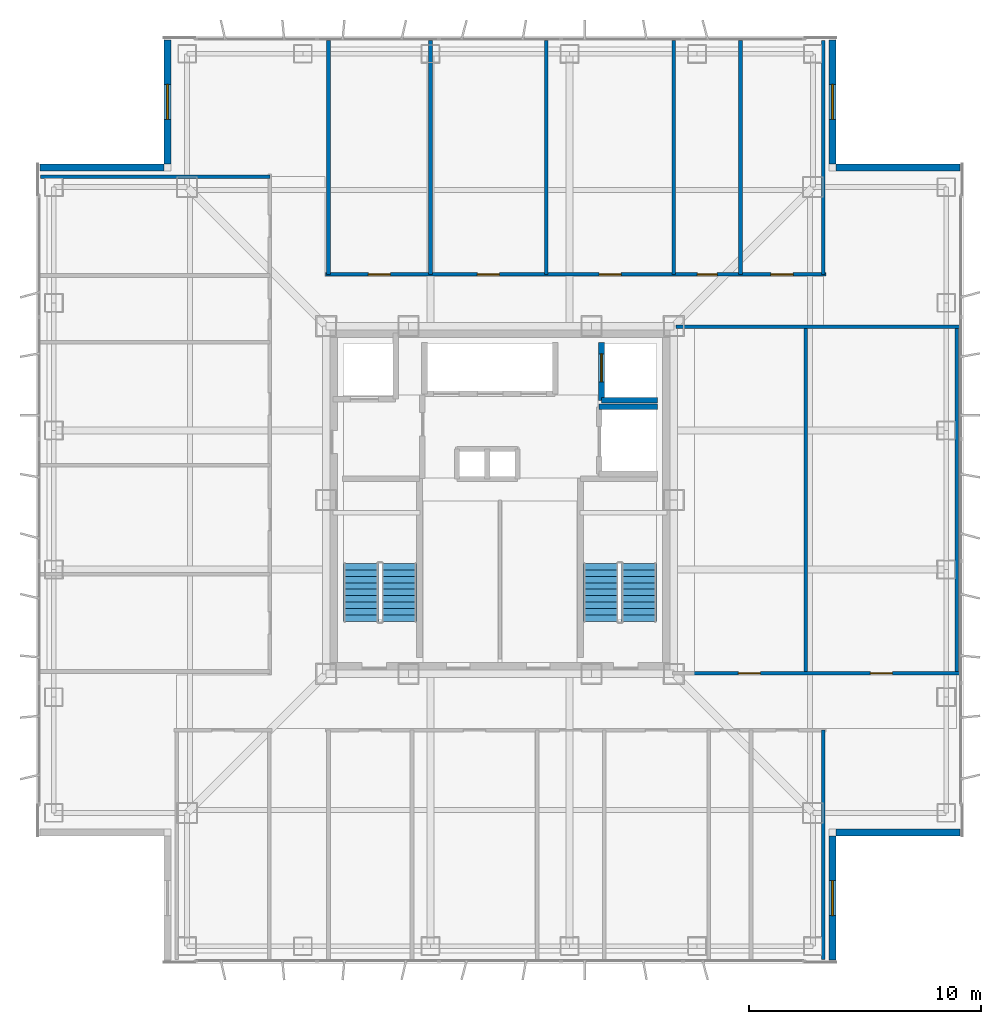
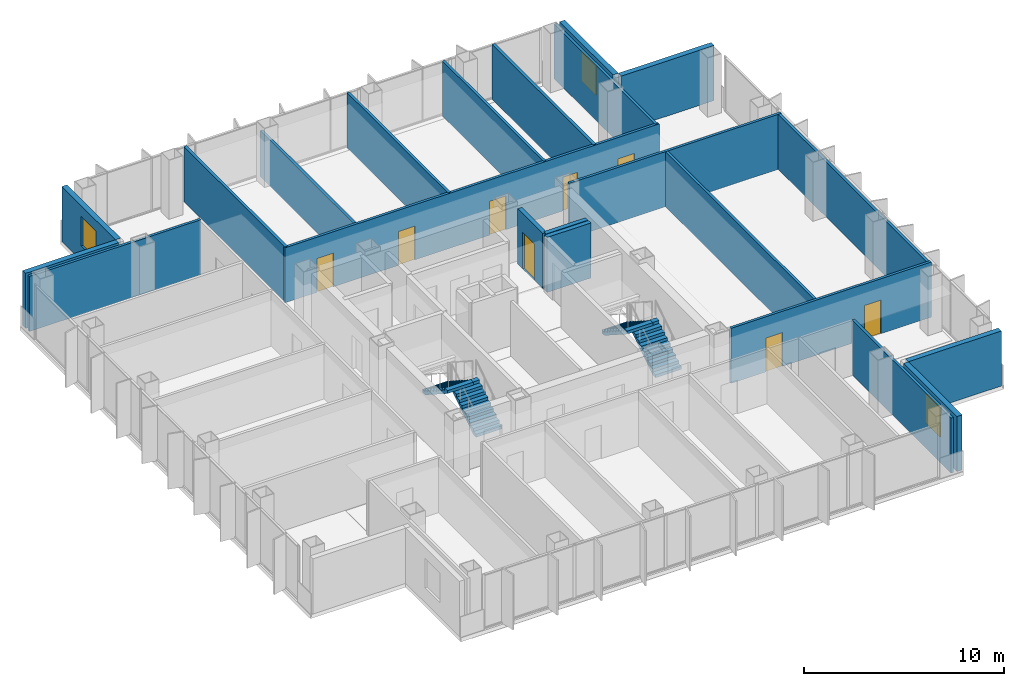
# One storey, part 12 of 18: 22 walls, 8 doors, 4 stair flights, 3 windows, 11 openings, 2 elements without a shape of their own.
"""IFC4 building model written with IfcOpenShell, lengths in metres."""

import ifcopenshell
import ifcopenshell.guid

model = None  # the IFC model being written
_history = None  # IfcOwnerHistory: only IFC2X3 demands one
_inside = {}  # id of a spatial element -> (the spatial element, [elements in it])
_under = {}  # id of a project, library or spatial element -> (it, [spatial elements below it])
_declared = {}  # id of a project -> (the project, [libraries it declares])
_typed = {}  # id of a type object -> (the type object, [elements of that type])
_made_of = {}  # id of a material, layer set ... -> (it, [elements and type objects made of it])


def new_model(schema):
    """Start an empty IFC model of exactly this schema.

    Asked for "IFC4X3", IfcOpenShell would pick the latest addendum, in which some entities
    have other attributes; the version numbers below select the first issue.
    IFC2X3 requires an IfcOwnerHistory on every rooted entity: one is made here for all.
    """
    global model, _history
    if schema == "IFC4X3":
        model = ifcopenshell.file(schema_version=(4, 3, 0, 0))
    else:
        model = ifcopenshell.file(schema=schema)
    _inside.clear()
    _under.clear()
    _declared.clear()
    _typed.clear()
    _made_of.clear()
    _history = None
    if model.schema == "IFC2X3":
        org = make("IfcOrganization", Name="unknown")
        user = make(
            "IfcPersonAndOrganization",
            ThePerson=make("IfcPerson", FamilyName="unknown"),
            TheOrganization=org,
        )
        app = make(
            "IfcApplication",
            ApplicationDeveloper=org,
            Version="unknown",
            ApplicationFullName="unknown",
            ApplicationIdentifier="unknown",
        )
        _history = make(
            "IfcOwnerHistory",
            OwningUser=user,
            OwningApplication=app,
            ChangeAction="ADDED",
            CreationDate=0,
        )
    return model


def make(cls, **values):
    """One entity of the class cls with the attributes given. An attribute that is None is left unset."""
    return model.create_entity(
        cls, **{name: value for name, value in values.items() if value is not None}
    )


def rooted(cls, **values):
    """An entity with a GlobalId (a new one), such as an element, a storey or a relation."""
    return make(cls, GlobalId=ifcopenshell.guid.new(), OwnerHistory=_history, **values)


def si_unit(unit_type, name, prefix=None):
    """IfcSIUnit, for example si_unit("LENGTHUNIT", "METRE", prefix="MILLI")."""
    return make("IfcSIUnit", UnitType=unit_type, Prefix=prefix, Name=name)


def assignment(units):
    """IfcUnitAssignment: the units of a project."""
    return None if units is None else make("IfcUnitAssignment", Units=units)


def point(xyz):
    """IfcCartesianPoint."""
    return None if xyz is None else make("IfcCartesianPoint", Coordinates=xyz)


def direction(xyz):
    """IfcDirection."""
    return None if xyz is None else make("IfcDirection", DirectionRatios=xyz)


def frame(location, z_axis=None, x_axis=None):
    """IfcAxis2Placement3D, a coordinate frame: its origin and axes. An axis left out is left unset."""
    return make(
        "IfcAxis2Placement3D",
        Location=point(location),
        Axis=direction(z_axis),
        RefDirection=direction(x_axis),
    )


def frame_2d(location, x_axis=None):
    """IfcAxis2Placement2D, a coordinate frame in the plane: its origin and x axis."""
    return make(
        "IfcAxis2Placement2D", Location=point(location), RefDirection=direction(x_axis)
    )


def origin():
    """The frame at (0, 0, 0) with its axes left unset."""
    return frame((0.0, 0.0, 0.0))


def place(relative_to, where):
    """IfcLocalPlacement: puts the frame where relative to a parent placement (None: the world)."""
    return make(
        "IfcLocalPlacement", PlacementRelTo=relative_to, RelativePlacement=where
    )


def context(
    kind, dimensions, precision=None, world=None, true_north=None, identifier=None
):
    """IfcGeometricRepresentationContext, for example the 3D "Model" context."""
    return make(
        "IfcGeometricRepresentationContext",
        ContextIdentifier=identifier,
        ContextType=kind,
        CoordinateSpaceDimension=dimensions,
        Precision=precision,
        WorldCoordinateSystem=world,
        TrueNorth=true_north,
    )


def subcontext(parent, identifier, kind, view, scale=None):
    """IfcGeometricRepresentationSubContext, for example "Body" below "Model"."""
    return make(
        "IfcGeometricRepresentationSubContext",
        ContextIdentifier=identifier,
        ContextType=kind,
        ParentContext=parent,
        TargetScale=scale,
        TargetView=view,
    )


def project(units=None, contexts=None):
    """IfcProject with its units and contexts."""
    return rooted(
        "IfcProject",
        Name="project",
        RepresentationContexts=contexts,
        UnitsInContext=assignment(units),
    )


def spatial(cls, under=None, at=None, **own):
    """A site, building, storey or space (cls), placed at a placement, below another one or the project."""
    s = rooted(cls, ObjectPlacement=at, **own)
    if under is not None:
        _under.setdefault(under.id(), (under, []))[1].append(s)
    return s


def polyline(points):
    """IfcPolyline through the points."""
    return make("IfcPolyline", Points=[point(p) for p in points])


def profile(cls, at=None, kind="AREA", **sizes):
    """A parametric profile (cls). Its sizes go by their IFC names, for example OverallWidth=200.0."""
    return make(cls, ProfileType=kind, Position=at, **sizes)


def rectangle(**sizes):
    """IfcRectangleProfileDef."""
    return profile("IfcRectangleProfileDef", **sizes)


def outline(outer, holes=None, kind="AREA"):
    """IfcArbitraryClosedProfileDef: a profile drawn as a closed curve; with holes, ...WithVoids."""
    if holes is None:
        return make("IfcArbitraryClosedProfileDef", ProfileType=kind, OuterCurve=outer)
    return make(
        "IfcArbitraryProfileDefWithVoids",
        ProfileType=kind,
        OuterCurve=outer,
        InnerCurves=holes,
    )


def extrude(swept, where, along, depth):
    """IfcExtrudedAreaSolid: the profile swept, set in the frame where, extruded along a direction by depth."""
    return make(
        "IfcExtrudedAreaSolid",
        SweptArea=swept,
        Position=where,
        ExtrudedDirection=direction(along),
        Depth=depth,
    )


def shape(context_of_items, identifier, shape_type, items):
    """IfcShapeRepresentation: the items that make up one representation, for example the "Body"."""
    return make(
        "IfcShapeRepresentation",
        ContextOfItems=context_of_items,
        RepresentationIdentifier=identifier,
        RepresentationType=shape_type,
        Items=items,
    )


def material(Name=None, Category=None):
    """IfcMaterial."""
    return make("IfcMaterial", Name=Name, Category=Category)


def layer(
    of_material, thickness, ventilated=None, Name=None, Category=None, Priority=None
):
    """IfcMaterialLayer: one layer of a wall or slab, of a material (None: an air gap)."""
    return make(
        "IfcMaterialLayer",
        Material=of_material,
        LayerThickness=thickness,
        IsVentilated=ventilated,
        Name=Name,
        Category=Category,
        Priority=Priority,
    )


def layer_set(layers, Name=None):
    """IfcMaterialLayerSet."""
    return make("IfcMaterialLayerSet", MaterialLayers=layers, LayerSetName=Name)


def made_of(thing, what):
    """Note that an element or type object is made of a material, layer set ...; save() writes the relation."""
    if what is not None:
        _made_of.setdefault(what.id(), (what, []))[1].append(thing)
    return thing


def type_object(cls, material=None, **own):
    """A type object (cls), such as IfcWallType, which elements share."""
    return made_of(rooted(cls, **own), material)


def element(
    cls,
    number,
    at=None,
    inside=None,
    cuts=None,
    type_object=None,
    material=None,
    context=None,
    identifier="Body",
    shape_type=None,
    held_by="IfcProductDefinitionShape",
    body=None,
    shapes=None,
    **own,
):
    """One element of the class cls, such as IfcWall. Its Tag is "e" and its number.

    at: its placement. inside: the storey or other place that contains it. cuts: it is an
    opening in that element (IfcRelVoidsElement). A single representation is given by context,
    identifier, shape_type and body (its items); several are given by shapes. held_by: the class
    of the entity that holds the representations. save() writes the other relations.
    """
    e = rooted(cls, Tag="e%d" % number, ObjectPlacement=at, **own)
    if body is not None:
        shapes = [shape(context, identifier, shape_type, body)]
    if shapes is not None:
        e.Representation = make(held_by, Representations=shapes)
    if inside is not None:
        _inside.setdefault(inside.id(), (inside, []))[1].append(e)
    if cuts is not None:
        rooted(
            "IfcRelVoidsElement", RelatingBuildingElement=cuts, RelatedOpeningElement=e
        )
    if type_object is not None:
        _typed.setdefault(type_object.id(), (type_object, []))[1].append(e)
    return made_of(e, material)


def fill(opening, filler):
    """IfcRelFillsElement: the door or window that sits in an opening."""
    return rooted(
        "IfcRelFillsElement",
        RelatingOpeningElement=opening,
        RelatedBuildingElement=filler,
    )


def aggregate(whole, parts):
    """IfcRelAggregates: a whole, such as a stair, and the parts it consists of."""
    return rooted("IfcRelAggregates", RelatingObject=whole, RelatedObjects=parts)


def save(model, path):
    """Write the relations noted so far, then the file.

    IfcRelAggregates (storeys below a building ...), IfcRelContainedInSpatialStructure (elements
    in a storey), IfcRelDefinesByType, IfcRelAssociatesMaterial and IfcRelDeclares: one each for
    every whole, place, type object, material and project.
    """
    for whole, parts in _under.values():
        aggregate(whole, parts)
    for where, things in _inside.values():
        rooted(
            "IfcRelContainedInSpatialStructure",
            RelatedElements=things,
            RelatingStructure=where,
        )
    for kind, things in _typed.values():
        rooted("IfcRelDefinesByType", RelatedObjects=things, RelatingType=kind)
    for what, things in _made_of.values():
        rooted("IfcRelAssociatesMaterial", RelatedObjects=things, RelatingMaterial=what)
    for by, libraries in _declared.values():
        rooted("IfcRelDeclares", RelatingContext=by, RelatedDefinitions=libraries)
    model.write(path)


model = new_model("IFC4")

# Units and contexts
model_context = context("Model", 3, precision=1e-05, world=origin(), true_north=direction((0.0, 1.0)))
body_context = subcontext(model_context, "Body", "Model", "MODEL_VIEW")
ifc_project = project(units=[si_unit("LENGTHUNIT", "METRE"), si_unit("AREAUNIT", "SQUARE_METRE"), si_unit("VOLUMEUNIT", "CUBIC_METRE"), si_unit("PLANEANGLEUNIT", "RADIAN"), si_unit("MASSUNIT", "GRAM", prefix="KILO")], contexts=[model_context])

# Site, building, storey
site_placement = place(None, origin())
site = spatial("IfcSite", under=ifc_project, at=site_placement, CompositionType="ELEMENT")
building_placement = place(site_placement, origin())
building = spatial("IfcBuilding", under=site, at=building_placement, Name="Trevonay Congress Spire", CompositionType="ELEMENT")
storey_placement = place(building_placement, frame((0.0, 0.0, 173.39990234375)))
storey = spatial("IfcBuildingStorey", under=building, at=storey_placement, Name="L44", CompositionType="ELEMENT", Elevation=173.39990234375)

# Wall, openings, doors
ifc_material_1 = material(Name="Concrete C40/50", Category="concrete")
ifc_layer_1 = layer(ifc_material_1, 0.14990234375, Name="Concrete C40/50")
ifc_layer_set_1 = layer_set([ifc_layer_1], Name="Concrete C40/50")
wall_type_1 = type_object("IfcWallType", Name="WAL-CORR-150", PredefinedType="PARTITIONING", material=ifc_layer_set_1)
wall_1_placement = place(storey_placement, frame((-7.52001953125, 9.72998046875, 0.0), z_axis=(0.0, 0.0, 1.0), x_axis=(1.0, 0.0, 0.0)))
wall_1 = element("IfcWall", 1, at=wall_1_placement, inside=storey, type_object=wall_type_1, Name="L44 interior wall WP-L44N-COR", PredefinedType="PARTITIONING", context=body_context, shape_type="SweptSolid", body=[
    extrude(rectangle(XDim=21.590087890625, YDim=0.14990234375, at=frame_2d((10.794921875, 0.0))), origin(), (0.0, 0.0, 1.0), 3.360107421875),
])
opening_1_placement = place(wall_1_placement, frame((1.844970703125, 0.0, 0.0)))
opening_1 = element("IfcOpeningElement", 2, at=opening_1_placement, cuts=wall_1, Name="Opening D07", PredefinedType="OPENING", context=body_context, shape_type="SweptSolid", body=[
    extrude(rectangle(XDim=0.949951171875, YDim=2.06005859375, at=frame_2d((0.47509765625, 1.030029296875))), frame((0.0, 0.0849609375, 0.0), z_axis=(0.0, -1.0, 0.0), x_axis=(1.0, 0.0, 0.0)), (0.0, 0.0, 1.0), 0.169921875),
])
opening_2_placement = place(wall_1_placement, frame((6.544921875, 0.0, 0.0)))
opening_2 = element("IfcOpeningElement", 3, at=opening_2_placement, cuts=wall_1, Name="Opening D07", PredefinedType="OPENING", context=body_context, shape_type="SweptSolid", body=[
    extrude(rectangle(XDim=0.949951171875, YDim=2.06005859375, at=frame_2d((0.47509765625, 1.030029296875))), frame((0.0, 0.0849609375, 0.0), z_axis=(0.0, -1.0, 0.0), x_axis=(1.0, 0.0, 0.0)), (0.0, 0.0, 1.0), 0.169921875),
])
opening_3_placement = place(wall_1_placement, frame((11.794921875, 0.0, 0.0)))
opening_3 = element("IfcOpeningElement", 4, at=opening_3_placement, cuts=wall_1, Name="Opening D07", PredefinedType="OPENING", context=body_context, shape_type="SweptSolid", body=[
    extrude(rectangle(XDim=0.949951171875, YDim=2.06005859375, at=frame_2d((0.47509765625, 1.030029296875))), frame((0.0, 0.0849609375, 0.0), z_axis=(0.0, -1.0, 0.0), x_axis=(1.0, 0.0, 0.0)), (0.0, 0.0, 1.0), 0.169921875),
])
opening_4_placement = place(wall_1_placement, frame((16.034912109375, 0.0, 0.0)))
opening_4 = element("IfcOpeningElement", 5, at=opening_4_placement, cuts=wall_1, Name="Opening D10", PredefinedType="OPENING", context=body_context, shape_type="SweptSolid", body=[
    extrude(rectangle(XDim=0.85009765625, YDim=2.050048828125, at=frame_2d((0.425048828125, 1.02490234375))), frame((0.0, 0.0849609375, 0.0), z_axis=(0.0, -1.0, 0.0), x_axis=(1.0, 0.0, 0.0)), (0.0, 0.0, 1.0), 0.169921875),
])
opening_5_placement = place(wall_1_placement, frame((19.2099609375, 0.0, 0.0)))
opening_5 = element("IfcOpeningElement", 6, at=opening_5_placement, cuts=wall_1, Name="Opening D07", PredefinedType="OPENING", context=body_context, shape_type="SweptSolid", body=[
    extrude(rectangle(XDim=0.949951171875, YDim=2.06005859375, at=frame_2d((0.47509765625, 1.030029296875))), frame((0.0, 0.0849609375, 0.0), z_axis=(0.0, -1.0, 0.0), x_axis=(1.0, 0.0, 0.0)), (0.0, 0.0, 1.0), 0.169921875),
])
ifc_material_2 = material(Name="Pale Anodised Aluminium EN AW-6063-T6", Category="aluminium")
door_type_1 = type_object("IfcDoorType", Name="DOR-OFFICE-95", OperationType="NOTDEFINED", PredefinedType="DOOR", material=ifc_material_2)
door_1_placement = place(opening_1_placement, origin())
door_1 = element("IfcDoor", 7, at=door_1_placement, inside=storey, type_object=door_type_1, Name="L44 Tax Counsel Office 8 Door", OperationType="SINGLE_SWING_RIGHT", OverallHeight=2.06005859375, OverallWidth=0.949951171875, PredefinedType="DOOR", context=body_context, shape_type="SweptSolid", body=[
    extrude(rectangle(XDim=0.949951171875, YDim=2.06005859375, at=frame_2d((0.47509765625, 1.030029296875))), frame((0.0, 0.02490234375, 0.0), z_axis=(0.0, -1.0, 0.0), x_axis=(1.0, 0.0, 0.0)), (0.0, 0.0, 1.0), 0.050048828125),
])
fill(opening_1, door_1)
door_2_placement = place(opening_2_placement, origin())
door_2 = element("IfcDoor", 8, at=door_2_placement, inside=storey, type_object=door_type_1, Name="L44 Compliance Office 9 Door", OperationType="SINGLE_SWING_LEFT", OverallHeight=2.06005859375, OverallWidth=0.949951171875, PredefinedType="DOOR", context=body_context, shape_type="SweptSolid", body=[
    extrude(rectangle(XDim=0.949951171875, YDim=2.06005859375, at=frame_2d((0.47509765625, 1.030029296875))), frame((0.0, 0.02490234375, 0.0), z_axis=(0.0, -1.0, 0.0), x_axis=(1.0, 0.0, 0.0)), (0.0, 0.0, 1.0), 0.050048828125),
])
fill(opening_2, door_2)
door_3_placement = place(opening_3_placement, origin())
door_3 = element("IfcDoor", 9, at=door_3_placement, inside=storey, type_object=door_type_1, Name="L44 Billing Office 10 Door", OperationType="SINGLE_SWING_RIGHT", OverallHeight=2.06005859375, OverallWidth=0.949951171875, PredefinedType="DOOR", context=body_context, shape_type="SweptSolid", body=[
    extrude(rectangle(XDim=0.949951171875, YDim=2.06005859375, at=frame_2d((0.47509765625, 1.030029296875))), frame((0.0, 0.02490234375, 0.0), z_axis=(0.0, -1.0, 0.0), x_axis=(1.0, 0.0, 0.0)), (0.0, 0.0, 1.0), 0.050048828125),
])
fill(opening_3, door_3)
door_4_placement = place(opening_5_placement, origin())
door_4 = element("IfcDoor", 10, at=door_4_placement, inside=storey, type_object=door_type_1, Name="L44 Floor Supplies and Copy Room Door", OperationType="SINGLE_SWING_RIGHT", OverallHeight=2.06005859375, OverallWidth=0.949951171875, PredefinedType="DOOR", context=body_context, shape_type="SweptSolid", body=[
    extrude(rectangle(XDim=0.949951171875, YDim=2.06005859375, at=frame_2d((0.47509765625, 1.030029296875))), frame((0.0, 0.02490234375, 0.0), z_axis=(0.0, -1.0, 0.0), x_axis=(1.0, 0.0, 0.0)), (0.0, 0.0, 1.0), 0.050048828125),
])
fill(opening_5, door_4)
door_type_2 = type_object("IfcDoorType", Name="DOR-WC-85", OperationType="NOTDEFINED", PredefinedType="DOOR", material=ifc_material_2)
door_5_placement = place(opening_4_placement, origin())
door_5 = element("IfcDoor", 11, at=door_5_placement, inside=storey, type_object=door_type_2, Name="L44 Female Restroom WC Door", OperationType="SINGLE_SWING_LEFT", OverallHeight=2.050048828125, OverallWidth=0.85009765625, PredefinedType="DOOR", context=body_context, shape_type="SweptSolid", body=[
    extrude(rectangle(XDim=0.85009765625, YDim=2.050048828125, at=frame_2d((0.425048828125, 1.02490234375))), frame((0.0, 0.02490234375, 0.0), z_axis=(0.0, -1.0, 0.0), x_axis=(1.0, 0.0, 0.0)), (0.0, 0.0, 1.0), 0.050048828125),
])
fill(opening_4, door_5)

wall_2_placement = place(storey_placement, frame((8.280029296875, -7.47998046875, 0.0), z_axis=(0.0, 0.0, 1.0), x_axis=(1.0, 0.0, 0.0)))
wall_2 = element("IfcWall", 12, at=wall_2_placement, inside=storey, type_object=wall_type_1, Name="L44 interior wall WP-L44E-COR", PredefinedType="PARTITIONING", context=body_context, shape_type="SweptSolid", body=[
    extrude(rectangle(XDim=11.5400390625, YDim=0.14990234375, at=frame_2d((5.77001953125, 0.0))), origin(), (0.0, 0.0, 1.0), 3.360107421875),
])
opening_6_placement = place(wall_2_placement, frame((2.0048828125, 0.0, 0.0)))
opening_6 = element("IfcOpeningElement", 13, at=opening_6_placement, cuts=wall_2, Name="Opening D07", PredefinedType="OPENING", context=body_context, shape_type="SweptSolid", body=[
    extrude(rectangle(XDim=0.949951171875, YDim=2.06005859375, at=frame_2d((0.47509765625, 1.030029296875))), frame((0.0, 0.0849609375, 0.0), z_axis=(0.0, -1.0, 0.0), x_axis=(1.0, 0.0, 0.0)), (0.0, 0.0, 1.0), 0.169921875),
])
opening_7_placement = place(wall_2_placement, frame((7.695068359375, 0.0, 0.0)))
opening_7 = element("IfcOpeningElement", 14, at=opening_7_placement, cuts=wall_2, Name="Opening D07", PredefinedType="OPENING", context=body_context, shape_type="SweptSolid", body=[
    extrude(rectangle(XDim=0.949951171875, YDim=2.06005859375, at=frame_2d((0.47509765625, 1.030029296875))), frame((0.0, 0.0849609375, 0.0), z_axis=(0.0, -1.0, 0.0), x_axis=(1.0, 0.0, 0.0)), (0.0, 0.0, 1.0), 0.169921875),
])
door_6_placement = place(opening_6_placement, origin())
door_6 = element("IfcDoor", 15, at=door_6_placement, inside=storey, type_object=door_type_1, Name="L44 Chambers Espresso Kitchen Door", OperationType="SINGLE_SWING_LEFT", OverallHeight=2.06005859375, OverallWidth=0.949951171875, PredefinedType="DOOR", context=body_context, shape_type="SweptSolid", body=[
    extrude(rectangle(XDim=0.949951171875, YDim=2.06005859375, at=frame_2d((0.47509765625, 1.030029296875))), frame((0.0, 0.02490234375, 0.0), z_axis=(0.0, -1.0, 0.0), x_axis=(1.0, 0.0, 0.0)), (0.0, 0.0, 1.0), 0.050048828125),
])
fill(opening_6, door_6)
door_7_placement = place(opening_7_placement, origin())
door_7 = element("IfcDoor", 16, at=door_7_placement, inside=storey, type_object=door_type_1, Name="L44 Law Copy Room Door", OperationType="SINGLE_SWING_RIGHT", OverallHeight=2.06005859375, OverallWidth=0.949951171875, PredefinedType="DOOR", context=body_context, shape_type="SweptSolid", body=[
    extrude(rectangle(XDim=0.949951171875, YDim=2.06005859375, at=frame_2d((0.47509765625, 1.030029296875))), frame((0.0, 0.02490234375, 0.0), z_axis=(0.0, -1.0, 0.0), x_axis=(1.0, 0.0, 0.0)), (0.0, 0.0, 1.0), 0.050048828125),
])
fill(opening_7, door_7)

# Wall, opening, window
ifc_material_3 = material(Name="Precast concrete C40/50", Category="concrete")
ifc_layer_2 = layer(ifc_material_3, 0.300048828125, Name="Precast concrete C40/50")
ifc_layer_set_2 = layer_set([ifc_layer_2], Name="Precast concrete C40/50")
wall_type_2 = type_object("IfcWallType", Name="WAL-EXT-PRECAST-300", PredefinedType="SOLIDWALL", material=ifc_layer_set_2)
wall_3_placement = place(storey_placement, frame((14.35009765625, -19.85009765625, 0.0), z_axis=(0.0, 0.0, 1.0), x_axis=(0.0, 1.0, 0.0)))
wall_3 = element("IfcWall", 17, at=wall_3_placement, inside=storey, type_object=wall_type_2, Name="L44 SE re-entrant notch exterior wall 1", PredefinedType="SOLIDWALL", context=body_context, shape_type="SweptSolid", body=[
    extrude(rectangle(XDim=5.35009765625, YDim=0.300048828125, at=frame_2d((2.675048828125, 0.0))), origin(), (0.0, 0.0, 1.0), 3.360107421875),
])
opening_8_placement = place(wall_3_placement, frame((1.925048828125, 0.0, 0.89990234375)))
opening_8 = element("IfcOpeningElement", 18, at=opening_8_placement, cuts=wall_3, Name="Opening WN03", PredefinedType="OPENING", context=body_context, shape_type="SweptSolid", body=[
    extrude(rectangle(XDim=1.5, YDim=1.800048828125, at=frame_2d((0.75, 0.89990234375))), frame((0.0, 0.16015625, 0.0), z_axis=(0.0, -1.0, 0.0), x_axis=(1.0, 0.0, 0.0)), (0.0, 0.0, 1.0), 0.320068359375),
])
ifc_material_4 = material(Name="Insulated Low-E Vision Glass IGU", Category="glass")
window_type = type_object("IfcWindowType", Name="WIN-NOTCH-150X180", PartitioningType="SINGLE_PANEL", PredefinedType="WINDOW", material=ifc_material_4)
window_1_placement = place(opening_8_placement, origin())
window_1 = element("IfcWindow", 19, at=window_1_placement, inside=storey, type_object=window_type, Name="L44 SE corner notch window", OverallHeight=1.800048828125, OverallWidth=1.5, PartitioningType="SINGLE_PANEL", PredefinedType="WINDOW", context=body_context, shape_type="SweptSolid", body=[
    extrude(rectangle(XDim=1.5, YDim=1.800048828125, at=frame_2d((0.75, 0.89990234375))), frame((0.0, 0.030029296875, 0.0), z_axis=(0.0, -1.0, 0.0), x_axis=(1.0, 0.0, 0.0)), (0.0, 0.0, 1.0), 0.06005859375),
])
fill(opening_8, window_1)

# Wall
wall_4_placement = place(storey_placement, frame((19.85009765625, -14.35009765625, 0.0), z_axis=(0.0, 0.0, 1.0), x_axis=(-1.0, 0.0, 0.0)))
element("IfcWall", 20, at=wall_4_placement, inside=storey, type_object=wall_type_2, Name="L44 SE re-entrant notch exterior wall 2", PredefinedType="SOLIDWALL", context=body_context, shape_type="SweptSolid", body=[
    extrude(rectangle(XDim=5.35009765625, YDim=0.300048828125, at=frame_2d((2.675048828125, 0.0))), origin(), (0.0, 0.0, 1.0), 3.360107421875),
])

# Wall, opening, window
wall_5_placement = place(storey_placement, frame((14.35009765625, 19.85009765625, 0.0), z_axis=(0.0, 0.0, 1.0), x_axis=(0.0, -1.0, 0.0)))
wall_5 = element("IfcWall", 21, at=wall_5_placement, inside=storey, type_object=wall_type_2, Name="L44 NE re-entrant notch exterior wall 1", PredefinedType="SOLIDWALL", context=body_context, shape_type="SweptSolid", body=[
    extrude(rectangle(XDim=5.35009765625, YDim=0.300048828125, at=frame_2d((2.675048828125, 0.0))), origin(), (0.0, 0.0, 1.0), 3.360107421875),
])
opening_9_placement = place(wall_5_placement, frame((1.925048828125, 0.0, 0.89990234375)))
opening_9 = element("IfcOpeningElement", 22, at=opening_9_placement, cuts=wall_5, Name="Opening WN03", PredefinedType="OPENING", context=body_context, shape_type="SweptSolid", body=[
    extrude(rectangle(XDim=1.5, YDim=1.800048828125, at=frame_2d((0.75, 0.89990234375))), frame((0.0, 0.16015625, 0.0), z_axis=(0.0, -1.0, 0.0), x_axis=(1.0, 0.0, 0.0)), (0.0, 0.0, 1.0), 0.320068359375),
])
window_2_placement = place(opening_9_placement, origin())
window_2 = element("IfcWindow", 23, at=window_2_placement, inside=storey, type_object=window_type, Name="L44 NE corner notch window", OverallHeight=1.800048828125, OverallWidth=1.5, PartitioningType="SINGLE_PANEL", PredefinedType="WINDOW", context=body_context, shape_type="SweptSolid", body=[
    extrude(rectangle(XDim=1.5, YDim=1.800048828125, at=frame_2d((0.75, 0.89990234375))), frame((0.0, 0.030029296875, 0.0), z_axis=(0.0, -1.0, 0.0), x_axis=(1.0, 0.0, 0.0)), (0.0, 0.0, 1.0), 0.06005859375),
])
fill(opening_9, window_2)

# Wall
wall_6_placement = place(storey_placement, frame((19.85009765625, 14.35009765625, 0.0), z_axis=(0.0, 0.0, 1.0), x_axis=(-1.0, 0.0, 0.0)))
element("IfcWall", 24, at=wall_6_placement, inside=storey, type_object=wall_type_2, Name="L44 NE re-entrant notch exterior wall 2", PredefinedType="SOLIDWALL", context=body_context, shape_type="SweptSolid", body=[
    extrude(rectangle(XDim=5.35009765625, YDim=0.300048828125, at=frame_2d((2.675048828125, 0.0))), origin(), (0.0, 0.0, 1.0), 3.360107421875),
])

# Wall, opening, window
wall_7_placement = place(storey_placement, frame((-14.35009765625, 19.85009765625, 0.0), z_axis=(0.0, 0.0, 1.0), x_axis=(0.0, -1.0, 0.0)))
wall_7 = element("IfcWall", 25, at=wall_7_placement, inside=storey, type_object=wall_type_2, Name="L44 NW re-entrant notch exterior wall 1", PredefinedType="SOLIDWALL", context=body_context, shape_type="SweptSolid", body=[
    extrude(rectangle(XDim=5.35009765625, YDim=0.300048828125, at=frame_2d((2.675048828125, 0.0))), origin(), (0.0, 0.0, 1.0), 3.360107421875),
])
opening_10_placement = place(wall_7_placement, frame((1.925048828125, 0.0, 0.89990234375)))
opening_10 = element("IfcOpeningElement", 26, at=opening_10_placement, cuts=wall_7, Name="Opening WN03", PredefinedType="OPENING", context=body_context, shape_type="SweptSolid", body=[
    extrude(rectangle(XDim=1.5, YDim=1.800048828125, at=frame_2d((0.75, 0.89990234375))), frame((0.0, 0.16015625, 0.0), z_axis=(0.0, -1.0, 0.0), x_axis=(1.0, 0.0, 0.0)), (0.0, 0.0, 1.0), 0.320068359375),
])
window_3_placement = place(opening_10_placement, origin())
window_3 = element("IfcWindow", 27, at=window_3_placement, inside=storey, type_object=window_type, Name="L44 NW corner notch window", OverallHeight=1.800048828125, OverallWidth=1.5, PartitioningType="SINGLE_PANEL", PredefinedType="WINDOW", context=body_context, shape_type="SweptSolid", body=[
    extrude(rectangle(XDim=1.5, YDim=1.800048828125, at=frame_2d((0.75, 0.89990234375))), frame((0.0, 0.030029296875, 0.0), z_axis=(0.0, -1.0, 0.0), x_axis=(1.0, 0.0, 0.0)), (0.0, 0.0, 1.0), 0.06005859375),
])
fill(opening_10, window_3)

# Walls
wall_8_placement = place(storey_placement, frame((-19.85009765625, 14.35009765625, 0.0), z_axis=(0.0, 0.0, 1.0), x_axis=(1.0, 0.0, 0.0)))
element("IfcWall", 28, at=wall_8_placement, inside=storey, type_object=wall_type_2, Name="L44 NW re-entrant notch exterior wall 2", PredefinedType="SOLIDWALL", context=body_context, shape_type="SweptSolid", body=[
    extrude(rectangle(XDim=5.35009765625, YDim=0.300048828125, at=frame_2d((2.675048828125, 0.0))), origin(), (0.0, 0.0, 1.0), 3.360107421875),
])
ifc_layer_3 = layer(ifc_material_1, 0.14990234375, Name="Concrete C40/50")
ifc_layer_set_3 = layer_set([ifc_layer_3], Name="Concrete C40/50")
wall_type_3 = type_object("IfcWallType", Name="WAL-PART-150", PredefinedType="PARTITIONING", material=ifc_layer_set_3)
for number, where, z_axis, x_axis, name in (
    (29, (13.949951171875, -19.820068359375, 0.0), (0.0, 0.0, 1.0), (0.0, 1.0, 0.0), "L44 interior wall WP-L44SE-DIV6"),
    (30, (-19.820068359375, 13.949951171875, 0.0), (0.0, 0.0, 1.0), (1.0, 0.0, 0.0), "L44 interior wall WP-L44NW-DIV5"),
):
    element("IfcWall", number, at=place(storey_placement, frame(where, z_axis=z_axis, x_axis=x_axis)), inside=storey, type_object=wall_type_3, Name=name, PredefinedType="PARTITIONING", context=body_context, shape_type="SweptSolid", body=[
        extrude(rectangle(XDim=9.89013671875, YDim=0.14990234375, at=frame_2d((4.945068359375, 0.0))), origin(), (0.0, 0.0, 1.0), 3.360107421875),
    ])
for number, where, z_axis, x_axis, name in (
    (31, (2.0, 9.72998046875, 0.0), (0.0, 0.0, 1.0), (0.0, 1.0, 0.0), "L44 interior wall WP-L44N-DIV3"),
    (32, (7.5, 9.72998046875, 0.0), (0.0, 0.0, 1.0), (0.0, 1.0, 0.0), "L44 interior wall WP-L44N-DIV4"),
    (33, (13.949951171875, 9.72998046875, 0.0), (0.0, 0.0, 1.0), (0.0, 1.0, 0.0), "L44 interior wall WP-L44N-DIV5"),
):
    element("IfcWall", number, at=place(storey_placement, frame(where, z_axis=z_axis, x_axis=x_axis)), inside=storey, type_object=wall_type_3, Name=name, PredefinedType="PARTITIONING", context=body_context, shape_type="SweptSolid", body=[
        extrude(rectangle(XDim=10.090087890625, YDim=0.14990234375, at=frame_2d((5.044921875, 0.0))), origin(), (0.0, 0.0, 1.0), 3.360107421875),
    ])
for number, where, z_axis, x_axis, name in (
    (34, (13.199951171875, -7.47998046875, 0.0), (0.0, 0.0, 1.0), (0.0, 1.0, 0.0), "L44 interior wall WP-L44E-DIV1"),
    (35, (19.699951171875, -7.47998046875, 0.0), (0.0, 0.0, 1.0), (0.0, 1.0, 0.0), "L44 interior wall WP-L44E-DIV2"),
):
    element("IfcWall", number, at=place(storey_placement, frame(where, z_axis=z_axis, x_axis=x_axis)), inside=storey, type_object=wall_type_3, Name=name, PredefinedType="PARTITIONING", context=body_context, shape_type="SweptSolid", body=[
        extrude(rectangle(XDim=14.89990234375, YDim=0.14990234375, at=frame_2d((7.449951171875, 0.0))), origin(), (0.0, 0.0, 1.0), 3.360107421875),
    ])
wall_9_placement = place(storey_placement, frame((7.60009765625, 7.47998046875, 0.0), z_axis=(0.0, 0.0, 1.0), x_axis=(1.0, 0.0, 0.0)))
element("IfcWall", 36, at=wall_9_placement, inside=storey, type_object=wall_type_3, Name="L44 interior wall WP-L44E-NCLS", PredefinedType="PARTITIONING", context=body_context, shape_type="SweptSolid", body=[
    extrude(rectangle(XDim=12.219970703125, YDim=0.14990234375, at=frame_2d((6.10986328125, 0.0))), origin(), (0.0, 0.0, 1.0), 3.360107421875),
])
ifc_layer_4 = layer(ifc_material_1, 0.25, Name="Concrete C40/50")
ifc_layer_set_4 = layer_set([ifc_layer_4], Name="Concrete C40/50")
wall_type_4 = type_object("IfcWallType", Name="WAL-SHAFT-250", PredefinedType="SHEAR", material=ifc_layer_set_4)
wall_10_placement = place(storey_placement, frame((4.3798828125, 4.300048828125, 0.0), z_axis=(0.0, 0.0, 1.0), x_axis=(1.0, 0.0, 0.0)))
element("IfcWall", 37, at=wall_10_placement, inside=storey, type_object=wall_type_4, Name="L44 interior shaft wall WSH-L44-FF2-S", PredefinedType="SHEAR", context=body_context, shape_type="SweptSolid", body=[
    extrude(rectangle(XDim=2.420166015625, YDim=0.25, at=frame_2d((1.2099609375, 0.0))), origin(), (0.0, 0.0, 1.0), 3.360107421875),
])

# Wall, opening, door
wall_11_placement = place(storey_placement, frame((4.3798828125, 4.300048828125, 0.0), z_axis=(0.0, 0.0, 1.0), x_axis=(0.0, 1.0, 0.0)))
wall_11 = element("IfcWall", 38, at=wall_11_placement, inside=storey, type_object=wall_type_4, Name="L44 interior shaft wall WSH-L44-FF2-W", PredefinedType="SHEAR", context=body_context, shape_type="SweptSolid", body=[
    extrude(rectangle(XDim=2.5, YDim=0.25, at=frame_2d((1.25, 0.0))), origin(), (0.0, 0.0, 1.0), 3.360107421875),
])
opening_11_placement = place(wall_11_placement, frame((0.800048828125, 0.0, 0.0)))
opening_11 = element("IfcOpeningElement", 39, at=opening_11_placement, cuts=wall_11, Name="Opening LD04", PredefinedType="OPENING", context=body_context, shape_type="SweptSolid", body=[
    extrude(rectangle(XDim=1.199951171875, YDim=2.199951171875, at=frame_2d((0.60009765625, 1.10009765625))), frame((0.0, 0.135009765625, 0.0), z_axis=(0.0, -1.0, 0.0), x_axis=(1.0, 0.0, 0.0)), (0.0, 0.0, 1.0), 0.27001953125),
])
ifc_material_5 = material(Name="Steel ASTM A572 Grade 50", Category="steel")
door_type_3 = type_object("IfcDoorType", Name="DOR-LIFT-LD04", OperationType="DOUBLE_DOOR_SLIDING", PredefinedType="DOOR", material=ifc_material_5)
door_8_placement = place(opening_11_placement, origin())
door_8 = element("IfcDoor", 40, at=door_8_placement, inside=storey, type_object=door_type_3, Name="L44 Firefighting lift FFL-02 landing door", OperationType="DOUBLE_DOOR_SLIDING", OverallHeight=2.199951171875, OverallWidth=1.199951171875, PredefinedType="DOOR", context=body_context, shape_type="SweptSolid", body=[
    extrude(rectangle(XDim=1.199951171875, YDim=2.199951171875, at=frame_2d((0.60009765625, 1.10009765625))), frame((0.0, 0.02490234375, 0.0), z_axis=(0.0, -1.0, 0.0), x_axis=(1.0, 0.0, 0.0)), (0.0, 0.0, 1.0), 0.050048828125),
])
fill(opening_11, door_8)

# Walls
wall_12_placement = place(storey_placement, frame((4.280029296875, 4.02001953125, 0.0), z_axis=(0.0, 0.0, 1.0), x_axis=(1.0, 0.0, 0.0)))
element("IfcWall", 41, at=wall_12_placement, inside=storey, type_object=wall_type_4, Name="L44 interior shaft wall WSH-L44-SV-N", PredefinedType="SHEAR", context=body_context, shape_type="SweptSolid", body=[
    extrude(rectangle(XDim=2.52001953125, YDim=0.25, at=frame_2d((1.260009765625, 0.0))), origin(), (0.0, 0.0, 1.0), 3.360107421875),
])
ifc_layer_5 = layer(ifc_material_1, 0.1650390625, Name="Concrete C40/50")
ifc_layer_set_5 = layer_set([ifc_layer_5], Name="Concrete C40/50")
wall_type_5 = type_object("IfcWallType", Name="WAL-WET-165", PredefinedType="PLUMBINGWALL", material=ifc_layer_set_5)
for number, where, z_axis, x_axis, name in (
    (42, (10.3798828125, 9.72998046875, 0.0), (0.0, 0.0, 1.0), (0.0, 1.0, 0.0), "L44 interior wall WP-L44N-WCS4"),
    (43, (-7.39990234375, 9.72998046875, 0.0), (0.0, 0.0, 1.0), (0.0, 1.0, 0.0), "L44 interior wall WP-L44N-DIV1"),
):
    element("IfcWall", number, at=place(storey_placement, frame(where, z_axis=z_axis, x_axis=x_axis)), inside=storey, type_object=wall_type_5, Name=name, PredefinedType="PLUMBINGWALL", context=body_context, shape_type="SweptSolid", body=[
        extrude(rectangle(XDim=10.090087890625, YDim=0.1650390625, at=frame_2d((5.044921875, 0.0))), origin(), (0.0, 0.0, 1.0), 3.360107421875),
    ])
wall_13_placement = place(storey_placement, frame((-3.0, 9.72998046875, 0.0), z_axis=(0.0, 0.0, 1.0), x_axis=(0.0, 1.0, 0.0)))
element("IfcWall", 44, at=wall_13_placement, inside=storey, type_object=wall_type_5, Name="L44 interior wall WP-L44N-DIV2", PredefinedType="PLUMBINGWALL", context=body_context, shape_type="SweptSolid", body=[
    extrude(rectangle(XDim=10.090087890625, YDim=0.1650390625, at=frame_2d((5.044921875, 0.0))), origin(), (0.0, 0.0, 1.0), 2.7919921875),
])

# Stair, stair flights
stair_type_1 = type_object("IfcStairType", Name="STR-ST-1", PredefinedType="HALF_TURN_STAIR", material=ifc_material_1)
stair_1_placement = place(storey_placement, origin())
stair_1 = element("IfcStair", 45, at=stair_1_placement, inside=storey, type_object=stair_type_1, Name="L44 Protected Exit Stair ST-1", PredefinedType="HALF_TURN_STAIR")
stair_flight_type_1 = type_object("IfcStairFlightType", Name="SFL-ST-1", PredefinedType="STRAIGHT", material=ifc_material_1)
stair_flight_1_placement = place(storey_placement, frame((-4.35009765625, -5.25, 0.0), z_axis=(0.0, 0.0, 1.0), x_axis=(0.0, 1.0, 0.0)))
stair_flight_1 = element("IfcStairFlight", 46, at=stair_flight_1_placement, type_object=stair_flight_type_1, Name="ST-1 flight 1", NumberOfRisers=10, NumberOfTreads=9, PredefinedType="STRAIGHT", RiserHeight=0.18, TreadLength=0.28, context=body_context, shape_type="SweptSolid", body=[
    extrude(outline(polyline([(0.0, 0.0), (0.0, 0.179931640625), (0.280029296875, 0.179931640625), (0.280029296875, 0.360107421875), (0.56005859375, 0.360107421875), (0.56005859375, 0.5400390625), (0.840087890625, 0.5400390625), (0.840087890625, 0.719970703125), (1.1201171875, 0.719970703125), (1.1201171875, 0.89990234375), (1.39990234375, 0.89990234375), (1.39990234375, 1.080078125), (1.679931640625, 1.080078125), (1.679931640625, 1.260009765625), (1.9599609375, 1.260009765625), (1.9599609375, 1.43994140625), (2.239990234375, 1.43994140625), (2.239990234375, 1.6201171875), (2.52001953125, 1.6201171875), (2.52001953125, 1.800048828125), (2.52001953125, 1.44189453125), (0.277099609375, 0.0), (0.0, 0.0)])), frame((0.0, 0.75, 0.0), z_axis=(0.0, -1.0, 0.0), x_axis=(1.0, 0.0, 0.0)), (0.0, 0.0, 1.0), 1.5),
])
stair_flight_2_placement = place(storey_placement, frame((-6.0, -2.72998046875, 1.800048828125), z_axis=(0.0, 0.0, 1.0), x_axis=(0.0, -1.0, 0.0)))
stair_flight_2 = element("IfcStairFlight", 47, at=stair_flight_2_placement, type_object=stair_flight_type_1, Name="ST-1 flight 2", NumberOfRisers=10, NumberOfTreads=9, PredefinedType="STRAIGHT", RiserHeight=0.18, TreadLength=0.28, context=body_context, shape_type="SweptSolid", body=[
    extrude(outline(polyline([(0.0, 0.0), (0.0, 0.179931640625), (0.280029296875, 0.179931640625), (0.280029296875, 0.360107421875), (0.56005859375, 0.360107421875), (0.56005859375, 0.5400390625), (0.840087890625, 0.5400390625), (0.840087890625, 0.719970703125), (1.1201171875, 0.719970703125), (1.1201171875, 0.89990234375), (1.39990234375, 0.89990234375), (1.39990234375, 1.080078125), (1.679931640625, 1.080078125), (1.679931640625, 1.260009765625), (1.9599609375, 1.260009765625), (1.9599609375, 1.43994140625), (2.239990234375, 1.43994140625), (2.239990234375, 1.6201171875), (2.52001953125, 1.6201171875), (2.52001953125, 1.800048828125), (2.52001953125, 1.44189453125), (0.277099609375, 0.0), (0.0, 0.0)])), frame((0.0, 0.75, 0.0), z_axis=(0.0, -1.0, 0.0), x_axis=(1.0, 0.0, 0.0)), (0.0, 0.0, 1.0), 1.5),
])
aggregate(stair_1, [stair_flight_1, stair_flight_2])

stair_type_2 = type_object("IfcStairType", Name="STR-ST-2", PredefinedType="HALF_TURN_STAIR", material=ifc_material_1)
stair_2_placement = place(storey_placement, origin())
stair_2 = element("IfcStair", 48, at=stair_2_placement, inside=storey, type_object=stair_type_2, Name="L44 Protected Exit Stair ST-2", PredefinedType="HALF_TURN_STAIR")
stair_flight_type_2 = type_object("IfcStairFlightType", Name="SFL-ST-2", PredefinedType="STRAIGHT", material=ifc_material_1)
stair_flight_3_placement = place(storey_placement, frame((6.0, -5.25, 0.0), z_axis=(0.0, 0.0, 1.0), x_axis=(0.0, 1.0, 0.0)))
stair_flight_3 = element("IfcStairFlight", 49, at=stair_flight_3_placement, type_object=stair_flight_type_2, Name="ST-2 flight 1", NumberOfRisers=10, NumberOfTreads=9, PredefinedType="STRAIGHT", RiserHeight=0.18, TreadLength=0.28, context=body_context, shape_type="SweptSolid", body=[
    extrude(outline(polyline([(0.0, 0.0), (0.0, 0.179931640625), (0.280029296875, 0.179931640625), (0.280029296875, 0.360107421875), (0.56005859375, 0.360107421875), (0.56005859375, 0.5400390625), (0.840087890625, 0.5400390625), (0.840087890625, 0.719970703125), (1.1201171875, 0.719970703125), (1.1201171875, 0.89990234375), (1.39990234375, 0.89990234375), (1.39990234375, 1.080078125), (1.679931640625, 1.080078125), (1.679931640625, 1.260009765625), (1.9599609375, 1.260009765625), (1.9599609375, 1.43994140625), (2.239990234375, 1.43994140625), (2.239990234375, 1.6201171875), (2.52001953125, 1.6201171875), (2.52001953125, 1.800048828125), (2.52001953125, 1.44189453125), (0.277099609375, 0.0), (0.0, 0.0)])), frame((0.0, 0.75, 0.0), z_axis=(0.0, -1.0, 0.0), x_axis=(1.0, 0.0, 0.0)), (0.0, 0.0, 1.0), 1.5),
])
stair_flight_4_placement = place(storey_placement, frame((4.35009765625, -2.72998046875, 1.800048828125), z_axis=(0.0, 0.0, 1.0), x_axis=(0.0, -1.0, 0.0)))
stair_flight_4 = element("IfcStairFlight", 50, at=stair_flight_4_placement, type_object=stair_flight_type_2, Name="ST-2 flight 2", NumberOfRisers=10, NumberOfTreads=9, PredefinedType="STRAIGHT", RiserHeight=0.18, TreadLength=0.28, context=body_context, shape_type="SweptSolid", body=[
    extrude(outline(polyline([(0.0, 0.0), (0.0, 0.179931640625), (0.280029296875, 0.179931640625), (0.280029296875, 0.360107421875), (0.56005859375, 0.360107421875), (0.56005859375, 0.5400390625), (0.840087890625, 0.5400390625), (0.840087890625, 0.719970703125), (1.1201171875, 0.719970703125), (1.1201171875, 0.89990234375), (1.39990234375, 0.89990234375), (1.39990234375, 1.080078125), (1.679931640625, 1.080078125), (1.679931640625, 1.260009765625), (1.9599609375, 1.260009765625), (1.9599609375, 1.43994140625), (2.239990234375, 1.43994140625), (2.239990234375, 1.6201171875), (2.52001953125, 1.6201171875), (2.52001953125, 1.800048828125), (2.52001953125, 1.44189453125), (0.277099609375, 0.0), (0.0, 0.0)])), frame((0.0, 0.75, 0.0), z_axis=(0.0, -1.0, 0.0), x_axis=(1.0, 0.0, 0.0)), (0.0, 0.0, 1.0), 1.5),
])
aggregate(stair_2, [stair_flight_3, stair_flight_4])

save(model, "model.ifc")
